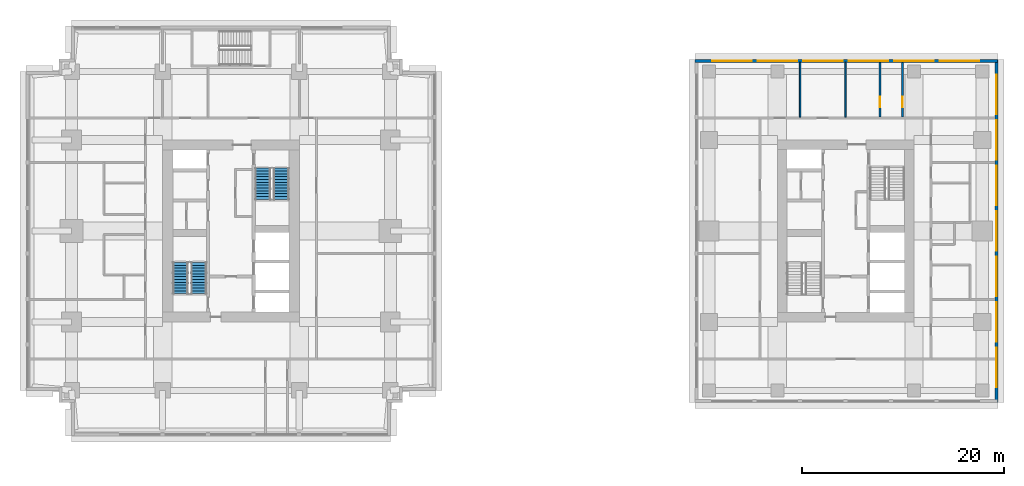
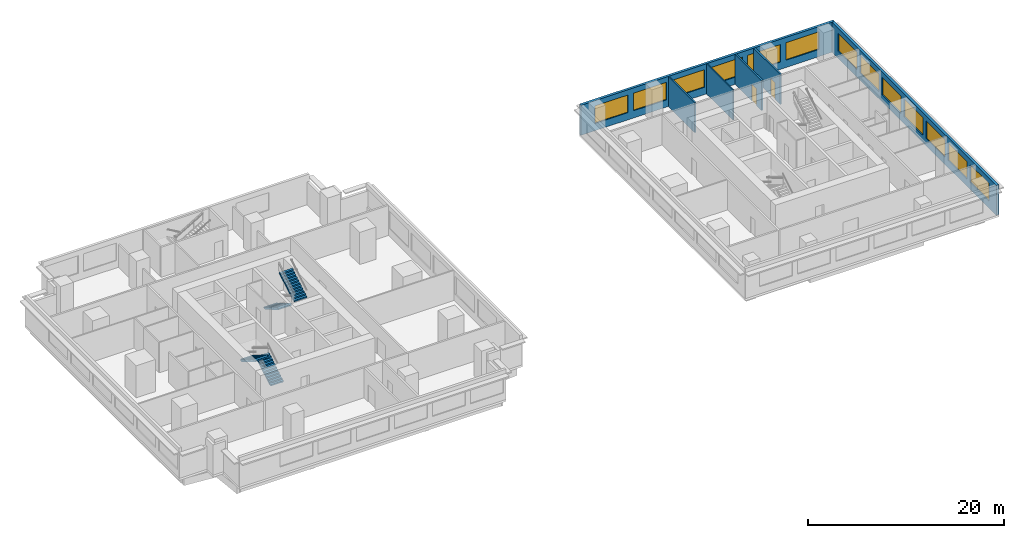
# One storey, part 8 of 11: 13 windows, 6 walls, 4 stair flights, 2 doors, 15 openings, 2 elements without a shape of their own.
"""IFC4 building model written with IfcOpenShell, lengths in metres."""

import ifcopenshell
import ifcopenshell.guid

model = None  # the IFC model being written
_history = None  # IfcOwnerHistory: only IFC2X3 demands one
_inside = {}  # id of a spatial element -> (the spatial element, [elements in it])
_under = {}  # id of a project, library or spatial element -> (it, [spatial elements below it])
_declared = {}  # id of a project -> (the project, [libraries it declares])
_typed = {}  # id of a type object -> (the type object, [elements of that type])
_made_of = {}  # id of a material, layer set ... -> (it, [elements and type objects made of it])


def new_model(schema):
    """Start an empty IFC model of exactly this schema.

    Asked for "IFC4X3", IfcOpenShell would pick the latest addendum, in which some entities
    have other attributes; the version numbers below select the first issue.
    IFC2X3 requires an IfcOwnerHistory on every rooted entity: one is made here for all.
    """
    global model, _history
    if schema == "IFC4X3":
        model = ifcopenshell.file(schema_version=(4, 3, 0, 0))
    else:
        model = ifcopenshell.file(schema=schema)
    _inside.clear()
    _under.clear()
    _declared.clear()
    _typed.clear()
    _made_of.clear()
    _history = None
    if model.schema == "IFC2X3":
        org = make("IfcOrganization", Name="unknown")
        user = make(
            "IfcPersonAndOrganization",
            ThePerson=make("IfcPerson", FamilyName="unknown"),
            TheOrganization=org,
        )
        app = make(
            "IfcApplication",
            ApplicationDeveloper=org,
            Version="unknown",
            ApplicationFullName="unknown",
            ApplicationIdentifier="unknown",
        )
        _history = make(
            "IfcOwnerHistory",
            OwningUser=user,
            OwningApplication=app,
            ChangeAction="ADDED",
            CreationDate=0,
        )
    return model


def make(cls, **values):
    """One entity of the class cls with the attributes given. An attribute that is None is left unset."""
    return model.create_entity(
        cls, **{name: value for name, value in values.items() if value is not None}
    )


def rooted(cls, **values):
    """An entity with a GlobalId (a new one), such as an element, a storey or a relation."""
    return make(cls, GlobalId=ifcopenshell.guid.new(), OwnerHistory=_history, **values)


def si_unit(unit_type, name, prefix=None):
    """IfcSIUnit, for example si_unit("LENGTHUNIT", "METRE", prefix="MILLI")."""
    return make("IfcSIUnit", UnitType=unit_type, Prefix=prefix, Name=name)


def assignment(units):
    """IfcUnitAssignment: the units of a project."""
    return None if units is None else make("IfcUnitAssignment", Units=units)


def point(xyz):
    """IfcCartesianPoint."""
    return None if xyz is None else make("IfcCartesianPoint", Coordinates=xyz)


def direction(xyz):
    """IfcDirection."""
    return None if xyz is None else make("IfcDirection", DirectionRatios=xyz)


def frame(location, z_axis=None, x_axis=None):
    """IfcAxis2Placement3D, a coordinate frame: its origin and axes. An axis left out is left unset."""
    return make(
        "IfcAxis2Placement3D",
        Location=point(location),
        Axis=direction(z_axis),
        RefDirection=direction(x_axis),
    )


def frame_2d(location, x_axis=None):
    """IfcAxis2Placement2D, a coordinate frame in the plane: its origin and x axis."""
    return make(
        "IfcAxis2Placement2D", Location=point(location), RefDirection=direction(x_axis)
    )


def origin():
    """The frame at (0, 0, 0) with its axes left unset."""
    return frame((0.0, 0.0, 0.0))


def place(relative_to, where):
    """IfcLocalPlacement: puts the frame where relative to a parent placement (None: the world)."""
    return make(
        "IfcLocalPlacement", PlacementRelTo=relative_to, RelativePlacement=where
    )


def context(
    kind, dimensions, precision=None, world=None, true_north=None, identifier=None
):
    """IfcGeometricRepresentationContext, for example the 3D "Model" context."""
    return make(
        "IfcGeometricRepresentationContext",
        ContextIdentifier=identifier,
        ContextType=kind,
        CoordinateSpaceDimension=dimensions,
        Precision=precision,
        WorldCoordinateSystem=world,
        TrueNorth=true_north,
    )


def subcontext(parent, identifier, kind, view, scale=None):
    """IfcGeometricRepresentationSubContext, for example "Body" below "Model"."""
    return make(
        "IfcGeometricRepresentationSubContext",
        ContextIdentifier=identifier,
        ContextType=kind,
        ParentContext=parent,
        TargetScale=scale,
        TargetView=view,
    )


def project(units=None, contexts=None):
    """IfcProject with its units and contexts."""
    return rooted(
        "IfcProject",
        Name="project",
        RepresentationContexts=contexts,
        UnitsInContext=assignment(units),
    )


def spatial(cls, under=None, at=None, **own):
    """A site, building, storey or space (cls), placed at a placement, below another one or the project."""
    s = rooted(cls, ObjectPlacement=at, **own)
    if under is not None:
        _under.setdefault(under.id(), (under, []))[1].append(s)
    return s


def polyline(points):
    """IfcPolyline through the points."""
    return make("IfcPolyline", Points=[point(p) for p in points])


def profile(cls, at=None, kind="AREA", **sizes):
    """A parametric profile (cls). Its sizes go by their IFC names, for example OverallWidth=200.0."""
    return make(cls, ProfileType=kind, Position=at, **sizes)


def rectangle(**sizes):
    """IfcRectangleProfileDef."""
    return profile("IfcRectangleProfileDef", **sizes)


def outline(outer, holes=None, kind="AREA"):
    """IfcArbitraryClosedProfileDef: a profile drawn as a closed curve; with holes, ...WithVoids."""
    if holes is None:
        return make("IfcArbitraryClosedProfileDef", ProfileType=kind, OuterCurve=outer)
    return make(
        "IfcArbitraryProfileDefWithVoids",
        ProfileType=kind,
        OuterCurve=outer,
        InnerCurves=holes,
    )


def extrude(swept, where, along, depth):
    """IfcExtrudedAreaSolid: the profile swept, set in the frame where, extruded along a direction by depth."""
    return make(
        "IfcExtrudedAreaSolid",
        SweptArea=swept,
        Position=where,
        ExtrudedDirection=direction(along),
        Depth=depth,
    )


def shape(context_of_items, identifier, shape_type, items):
    """IfcShapeRepresentation: the items that make up one representation, for example the "Body"."""
    return make(
        "IfcShapeRepresentation",
        ContextOfItems=context_of_items,
        RepresentationIdentifier=identifier,
        RepresentationType=shape_type,
        Items=items,
    )


def material(Name=None, Category=None):
    """IfcMaterial."""
    return make("IfcMaterial", Name=Name, Category=Category)


def layer(
    of_material, thickness, ventilated=None, Name=None, Category=None, Priority=None
):
    """IfcMaterialLayer: one layer of a wall or slab, of a material (None: an air gap)."""
    return make(
        "IfcMaterialLayer",
        Material=of_material,
        LayerThickness=thickness,
        IsVentilated=ventilated,
        Name=Name,
        Category=Category,
        Priority=Priority,
    )


def layer_set(layers, Name=None):
    """IfcMaterialLayerSet."""
    return make("IfcMaterialLayerSet", MaterialLayers=layers, LayerSetName=Name)


def made_of(thing, what):
    """Note that an element or type object is made of a material, layer set ...; save() writes the relation."""
    if what is not None:
        _made_of.setdefault(what.id(), (what, []))[1].append(thing)
    return thing


def type_object(cls, material=None, **own):
    """A type object (cls), such as IfcWallType, which elements share."""
    return made_of(rooted(cls, **own), material)


def element(
    cls,
    number,
    at=None,
    inside=None,
    cuts=None,
    type_object=None,
    material=None,
    context=None,
    identifier="Body",
    shape_type=None,
    held_by="IfcProductDefinitionShape",
    body=None,
    shapes=None,
    **own,
):
    """One element of the class cls, such as IfcWall. Its Tag is "e" and its number.

    at: its placement. inside: the storey or other place that contains it. cuts: it is an
    opening in that element (IfcRelVoidsElement). A single representation is given by context,
    identifier, shape_type and body (its items); several are given by shapes. held_by: the class
    of the entity that holds the representations. save() writes the other relations.
    """
    e = rooted(cls, Tag="e%d" % number, ObjectPlacement=at, **own)
    if body is not None:
        shapes = [shape(context, identifier, shape_type, body)]
    if shapes is not None:
        e.Representation = make(held_by, Representations=shapes)
    if inside is not None:
        _inside.setdefault(inside.id(), (inside, []))[1].append(e)
    if cuts is not None:
        rooted(
            "IfcRelVoidsElement", RelatingBuildingElement=cuts, RelatedOpeningElement=e
        )
    if type_object is not None:
        _typed.setdefault(type_object.id(), (type_object, []))[1].append(e)
    return made_of(e, material)


def fill(opening, filler):
    """IfcRelFillsElement: the door or window that sits in an opening."""
    return rooted(
        "IfcRelFillsElement",
        RelatingOpeningElement=opening,
        RelatedBuildingElement=filler,
    )


def aggregate(whole, parts):
    """IfcRelAggregates: a whole, such as a stair, and the parts it consists of."""
    return rooted("IfcRelAggregates", RelatingObject=whole, RelatedObjects=parts)


def save(model, path):
    """Write the relations noted so far, then the file.

    IfcRelAggregates (storeys below a building ...), IfcRelContainedInSpatialStructure (elements
    in a storey), IfcRelDefinesByType, IfcRelAssociatesMaterial and IfcRelDeclares: one each for
    every whole, place, type object, material and project.
    """
    for whole, parts in _under.values():
        aggregate(whole, parts)
    for where, things in _inside.values():
        rooted(
            "IfcRelContainedInSpatialStructure",
            RelatedElements=things,
            RelatingStructure=where,
        )
    for kind, things in _typed.values():
        rooted("IfcRelDefinesByType", RelatedObjects=things, RelatingType=kind)
    for what, things in _made_of.values():
        rooted("IfcRelAssociatesMaterial", RelatedObjects=things, RelatingMaterial=what)
    for by, libraries in _declared.values():
        rooted("IfcRelDeclares", RelatingContext=by, RelatedDefinitions=libraries)
    model.write(path)


model = new_model("IFC4")

# Units and contexts
model_context = context("Model", 3, precision=1e-05, world=origin(), true_north=direction((0.0, 1.0)))
body_context = subcontext(model_context, "Body", "Model", "MODEL_VIEW")
ifc_project = project(units=[si_unit("LENGTHUNIT", "METRE"), si_unit("AREAUNIT", "SQUARE_METRE"), si_unit("VOLUMEUNIT", "CUBIC_METRE"), si_unit("PLANEANGLEUNIT", "RADIAN"), si_unit("MASSUNIT", "GRAM", prefix="KILO")], contexts=[model_context])

# Site, building, storey
site_placement = place(None, origin())
site = spatial("IfcSite", under=ifc_project, at=site_placement, CompositionType="ELEMENT")
building_placement = place(site_placement, origin())
building = spatial("IfcBuilding", under=site, at=building_placement, Name="Namib Vertical Campus", CompositionType="ELEMENT")
storey_placement = place(building_placement, frame((0.0, 0.0, 209.0)))
storey = spatial("IfcBuildingStorey", under=building, at=storey_placement, Name="L49", CompositionType="ELEMENT", Elevation=209.0)

# Wall, opening, door
ifc_material_1 = material(Name="Concrete masonry", Category="masonry")
ifc_layer_1 = layer(ifc_material_1, 0.199951171875)
ifc_layer_set_1 = layer_set([ifc_layer_1], Name="Corridor wall 200")
wall_type_1 = type_object("IfcWallType", Name="Corridor wall 200", PredefinedType="SOLIDWALL", material=ifc_layer_set_1)
wall_1_placement = place(storey_placement, frame((84.39990234375, 31.5, 0.0), z_axis=(0.0, 0.0, 1.0), x_axis=(0.0, 1.0, 0.0)))
wall_1 = element("IfcWall", 1, at=wall_1_placement, inside=storey, type_object=wall_type_1, Name="Corridor wall B L49 SPN1", PredefinedType="SOLIDWALL", context=body_context, shape_type="SweptSolid", body=[
    extrude(rectangle(XDim=5.39990234375, YDim=0.199951171875, at=frame_2d((2.699951171875, 0.0))), origin(), (0.0, 0.0, 1.0), 3.75),
])
opening_1_placement = place(wall_1_placement, frame((1.0, 0.0, 0.0)))
opening_1 = element("IfcOpeningElement", 2, at=opening_1_placement, cuts=wall_1, Name="Opening CD1", PredefinedType="OPENING", context=body_context, shape_type="SweptSolid", body=[
    extrude(rectangle(XDim=1.0, YDim=2.10009765625, at=frame_2d((0.5, 1.050048828125))), frame((0.0, 0.10986328125, 0.0), z_axis=(0.0, -1.0, 0.0), x_axis=(1.0, 0.0, 0.0)), (0.0, 0.0, 1.0), 0.219970703125),
])
ifc_material_2 = material(Name="Timber fire door leaf", Category="wood")
door_type = type_object("IfcDoorType", Name="Corridor door 1000x2100 20 min", OperationType="SINGLE_SWING_LEFT", PredefinedType="DOOR", material=ifc_material_2)
door_1_placement = place(opening_1_placement, origin())
door_1 = element("IfcDoor", 3, at=door_1_placement, inside=storey, type_object=door_type, Name="Door CD1 B49-11", OperationType="SINGLE_SWING_LEFT", OverallHeight=2.10009765625, OverallWidth=1.0, PredefinedType="DOOR", context=body_context, shape_type="SweptSolid", body=[
    extrude(rectangle(XDim=1.0, YDim=2.10009765625, at=frame_2d((0.5, 1.050048828125))), frame((0.0, 0.02490234375, 0.0), z_axis=(0.0, -1.0, 0.0), x_axis=(1.0, 0.0, 0.0)), (0.0, 0.0, 1.0), 0.050048828125),
])
fill(opening_1, door_1)

wall_2_placement = place(storey_placement, frame((86.60009765625, 36.89990234375, 0.0), z_axis=(0.0, 0.0, 1.0), x_axis=(0.0, -1.0, 0.0)))
wall_2 = element("IfcWall", 4, at=wall_2_placement, inside=storey, type_object=wall_type_1, Name="Corridor wall B L49 SPN2", PredefinedType="SOLIDWALL", context=body_context, shape_type="SweptSolid", body=[
    extrude(rectangle(XDim=5.39990234375, YDim=0.199951171875, at=frame_2d((2.699951171875, 0.0))), origin(), (0.0, 0.0, 1.0), 3.75),
])
opening_2_placement = place(wall_2_placement, frame((3.39990234375, 0.0, 0.0)))
opening_2 = element("IfcOpeningElement", 5, at=opening_2_placement, cuts=wall_2, Name="Opening CD1", PredefinedType="OPENING", context=body_context, shape_type="SweptSolid", body=[
    extrude(rectangle(XDim=1.0, YDim=2.10009765625, at=frame_2d((0.5, 1.050048828125))), frame((0.0, 0.10986328125, 0.0), z_axis=(0.0, -1.0, 0.0), x_axis=(1.0, 0.0, 0.0)), (0.0, 0.0, 1.0), 0.219970703125),
])
door_2_placement = place(opening_2_placement, origin())
door_2 = element("IfcDoor", 6, at=door_2_placement, inside=storey, type_object=door_type, Name="Door CD1 B49-12", OperationType="SINGLE_SWING_RIGHT", OverallHeight=2.10009765625, OverallWidth=1.0, PredefinedType="DOOR", context=body_context, shape_type="SweptSolid", body=[
    extrude(rectangle(XDim=1.0, YDim=2.10009765625, at=frame_2d((0.5, 1.050048828125))), frame((0.0, 0.02490234375, 0.0), z_axis=(0.0, -1.0, 0.0), x_axis=(1.0, 0.0, 0.0)), (0.0, 0.0, 1.0), 0.050048828125),
])
fill(opening_2, door_2)

# Wall, openings, windows
ifc_material_3 = material(Name="Concrete C40/50", Category="concrete")
ifc_layer_2 = layer(ifc_material_3, 0.300048828125)
ifc_layer_set_2 = layer_set([ifc_layer_2], Name="Concrete C40/50")
wall_type_2 = type_object("IfcWallType", Name="External wall 300 board-marked concrete", PredefinedType="STANDARD", material=ifc_layer_set_2)
wall_3_placement = place(storey_placement, frame((95.89990234375, 3.320068359375, 0.0), z_axis=(0.0, 0.0, 1.0), x_axis=(0.0, 1.0, 0.0)))
wall_3 = element("IfcWall", 7, at=wall_3_placement, inside=storey, type_object=wall_type_2, Name="External wall L49 F02", PredefinedType="STANDARD", context=body_context, shape_type="SweptSolid", body=[
    extrude(rectangle(XDim=33.85986328125, YDim=0.300048828125, at=frame_2d((16.929931640625, 0.0))), origin(), (0.0, 0.0, 1.0), 3.75),
])
opening_3_placement = place(wall_3_placement, frame((1.47998046875, 0.0, 0.89990234375)))
opening_3 = element("IfcOpeningElement", 8, at=opening_3_placement, cuts=wall_3, Name="Opening W1", PredefinedType="OPENING", context=body_context, shape_type="SweptSolid", body=[
    extrude(rectangle(XDim=3.89990234375, YDim=2.199951171875, at=frame_2d((1.949951171875, 1.10009765625))), frame((0.0, 0.159912109375, 0.0), z_axis=(0.0, -1.0, 0.0), x_axis=(1.0, 0.0, 0.0)), (0.0, 0.0, 1.0), 0.320068359375),
])
opening_4_placement = place(wall_3_placement, frame((5.97998046875, 0.0, 0.89990234375)))
opening_4 = element("IfcOpeningElement", 9, at=opening_4_placement, cuts=wall_3, Name="Opening W1", PredefinedType="OPENING", context=body_context, shape_type="SweptSolid", body=[
    extrude(rectangle(XDim=3.89990234375, YDim=2.199951171875, at=frame_2d((1.949951171875, 1.10009765625))), frame((0.0, 0.159912109375, 0.0), z_axis=(0.0, -1.0, 0.0), x_axis=(1.0, 0.0, 0.0)), (0.0, 0.0, 1.0), 0.320068359375),
])
opening_5_placement = place(wall_3_placement, frame((10.47998046875, 0.0, 0.89990234375)))
opening_5 = element("IfcOpeningElement", 10, at=opening_5_placement, cuts=wall_3, Name="Opening W1", PredefinedType="OPENING", context=body_context, shape_type="SweptSolid", body=[
    extrude(rectangle(XDim=3.89990234375, YDim=2.199951171875, at=frame_2d((1.949951171875, 1.10009765625))), frame((0.0, 0.159912109375, 0.0), z_axis=(0.0, -1.0, 0.0), x_axis=(1.0, 0.0, 0.0)), (0.0, 0.0, 1.0), 0.320068359375),
])
opening_6_placement = place(wall_3_placement, frame((14.97998046875, 0.0, 0.89990234375)))
opening_6 = element("IfcOpeningElement", 11, at=opening_6_placement, cuts=wall_3, Name="Opening W1", PredefinedType="OPENING", context=body_context, shape_type="SweptSolid", body=[
    extrude(rectangle(XDim=3.89990234375, YDim=2.199951171875, at=frame_2d((1.949951171875, 1.10009765625))), frame((0.0, 0.159912109375, 0.0), z_axis=(0.0, -1.0, 0.0), x_axis=(1.0, 0.0, 0.0)), (0.0, 0.0, 1.0), 0.320068359375),
])
opening_7_placement = place(wall_3_placement, frame((19.47998046875, 0.0, 0.89990234375)))
opening_7 = element("IfcOpeningElement", 12, at=opening_7_placement, cuts=wall_3, Name="Opening W1", PredefinedType="OPENING", context=body_context, shape_type="SweptSolid", body=[
    extrude(rectangle(XDim=3.89990234375, YDim=2.199951171875, at=frame_2d((1.949951171875, 1.10009765625))), frame((0.0, 0.159912109375, 0.0), z_axis=(0.0, -1.0, 0.0), x_axis=(1.0, 0.0, 0.0)), (0.0, 0.0, 1.0), 0.320068359375),
])
opening_8_placement = place(wall_3_placement, frame((23.97998046875, 0.0, 0.89990234375)))
opening_8 = element("IfcOpeningElement", 13, at=opening_8_placement, cuts=wall_3, Name="Opening W1", PredefinedType="OPENING", context=body_context, shape_type="SweptSolid", body=[
    extrude(rectangle(XDim=3.89990234375, YDim=2.199951171875, at=frame_2d((1.949951171875, 1.10009765625))), frame((0.0, 0.159912109375, 0.0), z_axis=(0.0, -1.0, 0.0), x_axis=(1.0, 0.0, 0.0)), (0.0, 0.0, 1.0), 0.320068359375),
])
opening_9_placement = place(wall_3_placement, frame((28.47998046875, 0.0, 0.89990234375)))
opening_9 = element("IfcOpeningElement", 14, at=opening_9_placement, cuts=wall_3, Name="Opening W1", PredefinedType="OPENING", context=body_context, shape_type="SweptSolid", body=[
    extrude(rectangle(XDim=3.89990234375, YDim=2.199951171875, at=frame_2d((1.949951171875, 1.10009765625))), frame((0.0, 0.159912109375, 0.0), z_axis=(0.0, -1.0, 0.0), x_axis=(1.0, 0.0, 0.0)), (0.0, 0.0, 1.0), 0.320068359375),
])
ifc_material_4 = material(Name="Dark tinted glass in black aluminium frame", Category="aluminium")
window_type = type_object("IfcWindowType", Name="Ribbon window 3900x2200", PartitioningType="SINGLE_PANEL", PredefinedType="WINDOW", material=ifc_material_4)
window_1_placement = place(opening_3_placement, origin())
window_1 = element("IfcWindow", 15, at=window_1_placement, inside=storey, type_object=window_type, Name="Window W1 L49 F02-1", OverallHeight=2.199951171875, OverallWidth=3.89990234375, PartitioningType="SINGLE_PANEL", PredefinedType="WINDOW", context=body_context, shape_type="SweptSolid", body=[
    extrude(rectangle(XDim=3.89990234375, YDim=2.199951171875, at=frame_2d((1.949951171875, 1.10009765625))), frame((0.0, 0.030029296875, 0.0), z_axis=(0.0, -1.0, 0.0), x_axis=(1.0, 0.0, 0.0)), (0.0, 0.0, 1.0), 0.06005859375),
])
fill(opening_3, window_1)
window_2_placement = place(opening_4_placement, origin())
window_2 = element("IfcWindow", 16, at=window_2_placement, inside=storey, type_object=window_type, Name="Window W1 L49 F02-2", OverallHeight=2.199951171875, OverallWidth=3.89990234375, PartitioningType="SINGLE_PANEL", PredefinedType="WINDOW", context=body_context, shape_type="SweptSolid", body=[
    extrude(rectangle(XDim=3.89990234375, YDim=2.199951171875, at=frame_2d((1.949951171875, 1.10009765625))), frame((0.0, 0.030029296875, 0.0), z_axis=(0.0, -1.0, 0.0), x_axis=(1.0, 0.0, 0.0)), (0.0, 0.0, 1.0), 0.06005859375),
])
fill(opening_4, window_2)
window_3_placement = place(opening_5_placement, origin())
window_3 = element("IfcWindow", 17, at=window_3_placement, inside=storey, type_object=window_type, Name="Window W1 L49 F02-3", OverallHeight=2.199951171875, OverallWidth=3.89990234375, PartitioningType="SINGLE_PANEL", PredefinedType="WINDOW", context=body_context, shape_type="SweptSolid", body=[
    extrude(rectangle(XDim=3.89990234375, YDim=2.199951171875, at=frame_2d((1.949951171875, 1.10009765625))), frame((0.0, 0.030029296875, 0.0), z_axis=(0.0, -1.0, 0.0), x_axis=(1.0, 0.0, 0.0)), (0.0, 0.0, 1.0), 0.06005859375),
])
fill(opening_5, window_3)
window_4_placement = place(opening_6_placement, origin())
window_4 = element("IfcWindow", 18, at=window_4_placement, inside=storey, type_object=window_type, Name="Window W1 L49 F02-4", OverallHeight=2.199951171875, OverallWidth=3.89990234375, PartitioningType="SINGLE_PANEL", PredefinedType="WINDOW", context=body_context, shape_type="SweptSolid", body=[
    extrude(rectangle(XDim=3.89990234375, YDim=2.199951171875, at=frame_2d((1.949951171875, 1.10009765625))), frame((0.0, 0.030029296875, 0.0), z_axis=(0.0, -1.0, 0.0), x_axis=(1.0, 0.0, 0.0)), (0.0, 0.0, 1.0), 0.06005859375),
])
fill(opening_6, window_4)
window_5_placement = place(opening_7_placement, origin())
window_5 = element("IfcWindow", 19, at=window_5_placement, inside=storey, type_object=window_type, Name="Window W1 L49 F02-5", OverallHeight=2.199951171875, OverallWidth=3.89990234375, PartitioningType="SINGLE_PANEL", PredefinedType="WINDOW", context=body_context, shape_type="SweptSolid", body=[
    extrude(rectangle(XDim=3.89990234375, YDim=2.199951171875, at=frame_2d((1.949951171875, 1.10009765625))), frame((0.0, 0.030029296875, 0.0), z_axis=(0.0, -1.0, 0.0), x_axis=(1.0, 0.0, 0.0)), (0.0, 0.0, 1.0), 0.06005859375),
])
fill(opening_7, window_5)
window_6_placement = place(opening_8_placement, origin())
window_6 = element("IfcWindow", 20, at=window_6_placement, inside=storey, type_object=window_type, Name="Window W1 L49 F02-6", OverallHeight=2.199951171875, OverallWidth=3.89990234375, PartitioningType="SINGLE_PANEL", PredefinedType="WINDOW", context=body_context, shape_type="SweptSolid", body=[
    extrude(rectangle(XDim=3.89990234375, YDim=2.199951171875, at=frame_2d((1.949951171875, 1.10009765625))), frame((0.0, 0.030029296875, 0.0), z_axis=(0.0, -1.0, 0.0), x_axis=(1.0, 0.0, 0.0)), (0.0, 0.0, 1.0), 0.06005859375),
])
fill(opening_8, window_6)
window_7_placement = place(opening_9_placement, origin())
window_7 = element("IfcWindow", 21, at=window_7_placement, inside=storey, type_object=window_type, Name="Window W1 L49 F02-7", OverallHeight=2.199951171875, OverallWidth=3.89990234375, PartitioningType="SINGLE_PANEL", PredefinedType="WINDOW", context=body_context, shape_type="SweptSolid", body=[
    extrude(rectangle(XDim=3.89990234375, YDim=2.199951171875, at=frame_2d((1.949951171875, 1.10009765625))), frame((0.0, 0.030029296875, 0.0), z_axis=(0.0, -1.0, 0.0), x_axis=(1.0, 0.0, 0.0)), (0.0, 0.0, 1.0), 0.06005859375),
])
fill(opening_9, window_7)

wall_4_placement = place(storey_placement, frame((96.030029296875, 37.050048828125, 0.0), z_axis=(0.0, 0.0, 1.0), x_axis=(-1.0, 0.0, 0.0)))
wall_4 = element("IfcWall", 22, at=wall_4_placement, inside=storey, type_object=wall_type_2, Name="External wall L49 F03", PredefinedType="STANDARD", context=body_context, shape_type="SweptSolid", body=[
    extrude(rectangle(XDim=29.909912109375, YDim=0.300048828125, at=frame_2d((14.955078125, 0.0))), origin(), (0.0, 0.0, 1.0), 3.75),
])
opening_10_placement = place(wall_4_placement, frame((24.330078125, 0.0, 0.89990234375)))
opening_10 = element("IfcOpeningElement", 23, at=opening_10_placement, cuts=wall_4, Name="Opening W1", PredefinedType="OPENING", context=body_context, shape_type="SweptSolid", body=[
    extrude(rectangle(XDim=3.89990234375, YDim=2.199951171875, at=frame_2d((1.949951171875, 1.10009765625))), frame((0.0, 0.159912109375, 0.0), z_axis=(0.0, -1.0, 0.0), x_axis=(1.0, 0.0, 0.0)), (0.0, 0.0, 1.0), 0.320068359375),
])
opening_11_placement = place(wall_4_placement, frame((19.830078125, 0.0, 0.89990234375)))
opening_11 = element("IfcOpeningElement", 24, at=opening_11_placement, cuts=wall_4, Name="Opening W1", PredefinedType="OPENING", context=body_context, shape_type="SweptSolid", body=[
    extrude(rectangle(XDim=3.89990234375, YDim=2.199951171875, at=frame_2d((1.949951171875, 1.10009765625))), frame((0.0, 0.159912109375, 0.0), z_axis=(0.0, -1.0, 0.0), x_axis=(1.0, 0.0, 0.0)), (0.0, 0.0, 1.0), 0.320068359375),
])
opening_12_placement = place(wall_4_placement, frame((15.330078125, 0.0, 0.89990234375)))
opening_12 = element("IfcOpeningElement", 25, at=opening_12_placement, cuts=wall_4, Name="Opening W1", PredefinedType="OPENING", context=body_context, shape_type="SweptSolid", body=[
    extrude(rectangle(XDim=3.89990234375, YDim=2.199951171875, at=frame_2d((1.949951171875, 1.10009765625))), frame((0.0, 0.159912109375, 0.0), z_axis=(0.0, -1.0, 0.0), x_axis=(1.0, 0.0, 0.0)), (0.0, 0.0, 1.0), 0.320068359375),
])
opening_13_placement = place(wall_4_placement, frame((10.830078125, 0.0, 0.89990234375)))
opening_13 = element("IfcOpeningElement", 26, at=opening_13_placement, cuts=wall_4, Name="Opening W1", PredefinedType="OPENING", context=body_context, shape_type="SweptSolid", body=[
    extrude(rectangle(XDim=3.89990234375, YDim=2.199951171875, at=frame_2d((1.949951171875, 1.10009765625))), frame((0.0, 0.159912109375, 0.0), z_axis=(0.0, -1.0, 0.0), x_axis=(1.0, 0.0, 0.0)), (0.0, 0.0, 1.0), 0.320068359375),
])
opening_14_placement = place(wall_4_placement, frame((6.330078125, 0.0, 0.89990234375)))
opening_14 = element("IfcOpeningElement", 27, at=opening_14_placement, cuts=wall_4, Name="Opening W1", PredefinedType="OPENING", context=body_context, shape_type="SweptSolid", body=[
    extrude(rectangle(XDim=3.89990234375, YDim=2.199951171875, at=frame_2d((1.949951171875, 1.10009765625))), frame((0.0, 0.159912109375, 0.0), z_axis=(0.0, -1.0, 0.0), x_axis=(1.0, 0.0, 0.0)), (0.0, 0.0, 1.0), 0.320068359375),
])
opening_15_placement = place(wall_4_placement, frame((1.830078125, 0.0, 0.89990234375)))
opening_15 = element("IfcOpeningElement", 28, at=opening_15_placement, cuts=wall_4, Name="Opening W1", PredefinedType="OPENING", context=body_context, shape_type="SweptSolid", body=[
    extrude(rectangle(XDim=3.89990234375, YDim=2.199951171875, at=frame_2d((1.949951171875, 1.10009765625))), frame((0.0, 0.159912109375, 0.0), z_axis=(0.0, -1.0, 0.0), x_axis=(1.0, 0.0, 0.0)), (0.0, 0.0, 1.0), 0.320068359375),
])
window_8_placement = place(opening_10_placement, origin())
window_8 = element("IfcWindow", 29, at=window_8_placement, inside=storey, type_object=window_type, Name="Window W1 L49 F03-1", OverallHeight=2.199951171875, OverallWidth=3.89990234375, PartitioningType="SINGLE_PANEL", PredefinedType="WINDOW", context=body_context, shape_type="SweptSolid", body=[
    extrude(rectangle(XDim=3.89990234375, YDim=2.199951171875, at=frame_2d((1.949951171875, 1.10009765625))), frame((0.0, 0.030029296875, 0.0), z_axis=(0.0, -1.0, 0.0), x_axis=(1.0, 0.0, 0.0)), (0.0, 0.0, 1.0), 0.06005859375),
])
fill(opening_10, window_8)
window_9_placement = place(opening_11_placement, origin())
window_9 = element("IfcWindow", 30, at=window_9_placement, inside=storey, type_object=window_type, Name="Window W1 L49 F03-2", OverallHeight=2.199951171875, OverallWidth=3.89990234375, PartitioningType="SINGLE_PANEL", PredefinedType="WINDOW", context=body_context, shape_type="SweptSolid", body=[
    extrude(rectangle(XDim=3.89990234375, YDim=2.199951171875, at=frame_2d((1.949951171875, 1.10009765625))), frame((0.0, 0.030029296875, 0.0), z_axis=(0.0, -1.0, 0.0), x_axis=(1.0, 0.0, 0.0)), (0.0, 0.0, 1.0), 0.06005859375),
])
fill(opening_11, window_9)
window_10_placement = place(opening_12_placement, origin())
window_10 = element("IfcWindow", 31, at=window_10_placement, inside=storey, type_object=window_type, Name="Window W1 L49 F03-3", OverallHeight=2.199951171875, OverallWidth=3.89990234375, PartitioningType="SINGLE_PANEL", PredefinedType="WINDOW", context=body_context, shape_type="SweptSolid", body=[
    extrude(rectangle(XDim=3.89990234375, YDim=2.199951171875, at=frame_2d((1.949951171875, 1.10009765625))), frame((0.0, 0.030029296875, 0.0), z_axis=(0.0, -1.0, 0.0), x_axis=(1.0, 0.0, 0.0)), (0.0, 0.0, 1.0), 0.06005859375),
])
fill(opening_12, window_10)
window_11_placement = place(opening_13_placement, origin())
window_11 = element("IfcWindow", 32, at=window_11_placement, inside=storey, type_object=window_type, Name="Window W1 L49 F03-4", OverallHeight=2.199951171875, OverallWidth=3.89990234375, PartitioningType="SINGLE_PANEL", PredefinedType="WINDOW", context=body_context, shape_type="SweptSolid", body=[
    extrude(rectangle(XDim=3.89990234375, YDim=2.199951171875, at=frame_2d((1.949951171875, 1.10009765625))), frame((0.0, 0.030029296875, 0.0), z_axis=(0.0, -1.0, 0.0), x_axis=(1.0, 0.0, 0.0)), (0.0, 0.0, 1.0), 0.06005859375),
])
fill(opening_13, window_11)
window_12_placement = place(opening_14_placement, origin())
window_12 = element("IfcWindow", 33, at=window_12_placement, inside=storey, type_object=window_type, Name="Window W1 L49 F03-5", OverallHeight=2.199951171875, OverallWidth=3.89990234375, PartitioningType="SINGLE_PANEL", PredefinedType="WINDOW", context=body_context, shape_type="SweptSolid", body=[
    extrude(rectangle(XDim=3.89990234375, YDim=2.199951171875, at=frame_2d((1.949951171875, 1.10009765625))), frame((0.0, 0.030029296875, 0.0), z_axis=(0.0, -1.0, 0.0), x_axis=(1.0, 0.0, 0.0)), (0.0, 0.0, 1.0), 0.06005859375),
])
fill(opening_14, window_12)
window_13_placement = place(opening_15_placement, origin())
window_13 = element("IfcWindow", 34, at=window_13_placement, inside=storey, type_object=window_type, Name="Window W1 L49 F03-6", OverallHeight=2.199951171875, OverallWidth=3.89990234375, PartitioningType="SINGLE_PANEL", PredefinedType="WINDOW", context=body_context, shape_type="SweptSolid", body=[
    extrude(rectangle(XDim=3.89990234375, YDim=2.199951171875, at=frame_2d((1.949951171875, 1.10009765625))), frame((0.0, 0.030029296875, 0.0), z_axis=(0.0, -1.0, 0.0), x_axis=(1.0, 0.0, 0.0)), (0.0, 0.0, 1.0), 0.06005859375),
])
fill(opening_15, window_13)

# Walls
ifc_material_5 = material(Name="Gypsum board on steel studs", Category="steel")
ifc_layer_3 = layer(ifc_material_5, 0.14990234375)
ifc_layer_set_3 = layer_set([ifc_layer_3], Name="Gypsum board on steel studs")
wall_type_3 = type_object("IfcWallType", Name="Partition 150", PredefinedType="PARTITIONING", material=ifc_layer_set_3)
for number, where, z_axis, x_axis, name in (
    (35, (76.5, 31.5, 0.0), (0.0, 0.0, 1.0), (0.0, 1.0, 0.0), "Partition B L49 PN1"),
    (36, (81.0, 31.5, 0.0), (0.0, 0.0, 1.0), (0.0, 1.0, 0.0), "Partition B L49 PN2"),
):
    element("IfcWall", number, at=place(storey_placement, frame(where, z_axis=z_axis, x_axis=x_axis)), inside=storey, type_object=wall_type_3, Name=name, PredefinedType="PARTITIONING", context=body_context, shape_type="SweptSolid", body=[
        extrude(rectangle(XDim=5.39990234375, YDim=0.14990234375, at=frame_2d((2.699951171875, 0.0))), origin(), (0.0, 0.0, 1.0), 3.75),
    ])

# Stair, stair flights
ifc_material_6 = material(Name="Concrete C40/50 precast", Category="concrete")
stair_type = type_object("IfcStairType", Name="Exit stair 4000 rise 24 risers 3350 wide", PredefinedType="HALF_TURN_STAIR", material=ifc_material_6)
stair_1_placement = place(storey_placement, origin())
stair_1 = element("IfcStair", 37, at=stair_1_placement, inside=storey, type_object=stair_type, Name="Exit stair A-S1 L49", PredefinedType="HALF_TURN_STAIR")
ifc_material_7 = material(Name="Concrete C40/50 precast", Category="concrete")
stair_flight_type = type_object("IfcStairFlightType", Name="Stair flight 12 risers 167 1525 wide", PredefinedType="STRAIGHT", material=ifc_material_7)
stair_flight_1_placement = place(storey_placement, frame((17.08740234375, 14.050048828125, 0.0), z_axis=(0.0, 0.0, 1.0), x_axis=(0.0, 1.0, 0.0)))
stair_flight_1 = element("IfcStairFlight", 38, at=stair_flight_1_placement, type_object=stair_flight_type, Name="A-S1 flight 1", NumberOfRisers=12, NumberOfTreads=11, PredefinedType="STRAIGHT", RiserHeight=0.166666667, TreadLength=0.28, context=body_context, shape_type="SweptSolid", body=[
    extrude(outline(polyline([(0.0, 0.0), (0.0, 0.166748046875), (0.280029296875, 0.166748046875), (0.280029296875, 0.333251953125), (0.56005859375, 0.333251953125), (0.56005859375, 0.5), (0.840087890625, 0.5), (0.840087890625, 0.666748046875), (1.1201171875, 0.666748046875), (1.1201171875, 0.833251953125), (1.39990234375, 0.833251953125), (1.39990234375, 1.0), (1.679931640625, 1.0), (1.679931640625, 1.166748046875), (1.9599609375, 1.166748046875), (1.9599609375, 1.333251953125), (2.239990234375, 1.333251953125), (2.239990234375, 1.5), (2.52001953125, 1.5), (2.52001953125, 1.666748046875), (2.800048828125, 1.666748046875), (2.800048828125, 1.833251953125), (3.080078125, 1.833251953125), (3.080078125, 2.0), (3.080078125, 1.658935546875), (0.29296875, 0.0), (0.0, 0.0)])), frame((0.0, 0.762451171875, 0.0), z_axis=(0.0, -1.0, 0.0), x_axis=(1.0, 0.0, 0.0)), (0.0, 0.0, 1.0), 1.52490234375),
])
stair_flight_2_placement = place(storey_placement, frame((15.262451171875, 17.1298828125, 2.0), z_axis=(0.0, 0.0, 1.0), x_axis=(0.0, -1.0, 0.0)))
stair_flight_2 = element("IfcStairFlight", 39, at=stair_flight_2_placement, type_object=stair_flight_type, Name="A-S1 flight 2", NumberOfRisers=12, NumberOfTreads=11, PredefinedType="STRAIGHT", RiserHeight=0.166666667, TreadLength=0.28, context=body_context, shape_type="SweptSolid", body=[
    extrude(outline(polyline([(0.0, 0.0), (0.0, 0.166748046875), (0.280029296875, 0.166748046875), (0.280029296875, 0.333251953125), (0.56005859375, 0.333251953125), (0.56005859375, 0.5), (0.840087890625, 0.5), (0.840087890625, 0.666748046875), (1.1201171875, 0.666748046875), (1.1201171875, 0.833251953125), (1.39990234375, 0.833251953125), (1.39990234375, 1.0), (1.679931640625, 1.0), (1.679931640625, 1.166748046875), (1.9599609375, 1.166748046875), (1.9599609375, 1.333251953125), (2.239990234375, 1.333251953125), (2.239990234375, 1.5), (2.52001953125, 1.5), (2.52001953125, 1.666748046875), (2.800048828125, 1.666748046875), (2.800048828125, 1.833251953125), (3.080078125, 1.833251953125), (3.080078125, 2.0), (3.080078125, 1.658935546875), (0.29296875, 0.0), (0.0, 0.0)])), frame((0.0, 0.762451171875, 0.0), z_axis=(0.0, -1.0, 0.0), x_axis=(1.0, 0.0, 0.0)), (0.0, 0.0, 1.0), 1.52490234375),
])
aggregate(stair_1, [stair_flight_1, stair_flight_2])

stair_2_placement = place(storey_placement, origin())
stair_2 = element("IfcStair", 40, at=stair_2_placement, inside=storey, type_object=stair_type, Name="Exit stair A-S2 L49", PredefinedType="HALF_TURN_STAIR")
stair_flight_3_placement = place(storey_placement, frame((23.41259765625, 26.449951171875, 0.0), z_axis=(0.0, 0.0, 1.0), x_axis=(0.0, -1.0, 0.0)))
stair_flight_3 = element("IfcStairFlight", 41, at=stair_flight_3_placement, type_object=stair_flight_type, Name="A-S2 flight 1", NumberOfRisers=12, NumberOfTreads=11, PredefinedType="STRAIGHT", RiserHeight=0.166666667, TreadLength=0.28, context=body_context, shape_type="SweptSolid", body=[
    extrude(outline(polyline([(0.0, 0.0), (0.0, 0.166748046875), (0.280029296875, 0.166748046875), (0.280029296875, 0.333251953125), (0.56005859375, 0.333251953125), (0.56005859375, 0.5), (0.840087890625, 0.5), (0.840087890625, 0.666748046875), (1.1201171875, 0.666748046875), (1.1201171875, 0.833251953125), (1.39990234375, 0.833251953125), (1.39990234375, 1.0), (1.679931640625, 1.0), (1.679931640625, 1.166748046875), (1.9599609375, 1.166748046875), (1.9599609375, 1.333251953125), (2.239990234375, 1.333251953125), (2.239990234375, 1.5), (2.52001953125, 1.5), (2.52001953125, 1.666748046875), (2.800048828125, 1.666748046875), (2.800048828125, 1.833251953125), (3.080078125, 1.833251953125), (3.080078125, 2.0), (3.080078125, 1.658935546875), (0.29296875, 0.0), (0.0, 0.0)])), frame((0.0, 0.762451171875, 0.0), z_axis=(0.0, -1.0, 0.0), x_axis=(1.0, 0.0, 0.0)), (0.0, 0.0, 1.0), 1.52490234375),
])
stair_flight_4_placement = place(storey_placement, frame((25.237548828125, 23.3701171875, 2.0), z_axis=(0.0, 0.0, 1.0), x_axis=(0.0, 1.0, 0.0)))
stair_flight_4 = element("IfcStairFlight", 42, at=stair_flight_4_placement, type_object=stair_flight_type, Name="A-S2 flight 2", NumberOfRisers=12, NumberOfTreads=11, PredefinedType="STRAIGHT", RiserHeight=0.166666667, TreadLength=0.28, context=body_context, shape_type="SweptSolid", body=[
    extrude(outline(polyline([(0.0, 0.0), (0.0, 0.166748046875), (0.280029296875, 0.166748046875), (0.280029296875, 0.333251953125), (0.56005859375, 0.333251953125), (0.56005859375, 0.5), (0.840087890625, 0.5), (0.840087890625, 0.666748046875), (1.1201171875, 0.666748046875), (1.1201171875, 0.833251953125), (1.39990234375, 0.833251953125), (1.39990234375, 1.0), (1.679931640625, 1.0), (1.679931640625, 1.166748046875), (1.9599609375, 1.166748046875), (1.9599609375, 1.333251953125), (2.239990234375, 1.333251953125), (2.239990234375, 1.5), (2.52001953125, 1.5), (2.52001953125, 1.666748046875), (2.800048828125, 1.666748046875), (2.800048828125, 1.833251953125), (3.080078125, 1.833251953125), (3.080078125, 2.0), (3.080078125, 1.658935546875), (0.29296875, 0.0), (0.0, 0.0)])), frame((0.0, 0.762451171875, 0.0), z_axis=(0.0, -1.0, 0.0), x_axis=(1.0, 0.0, 0.0)), (0.0, 0.0, 1.0), 1.52490234375),
])
aggregate(stair_2, [stair_flight_3, stair_flight_4])

save(model, "model.ifc")
